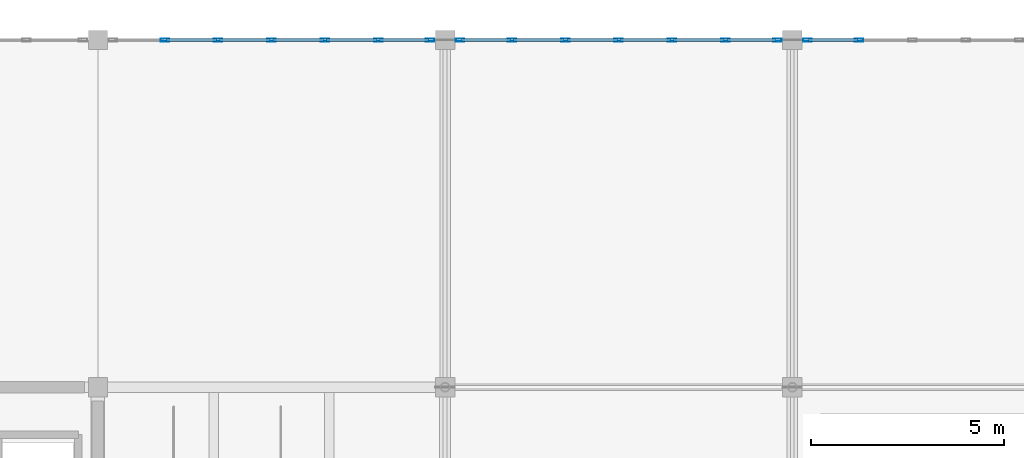
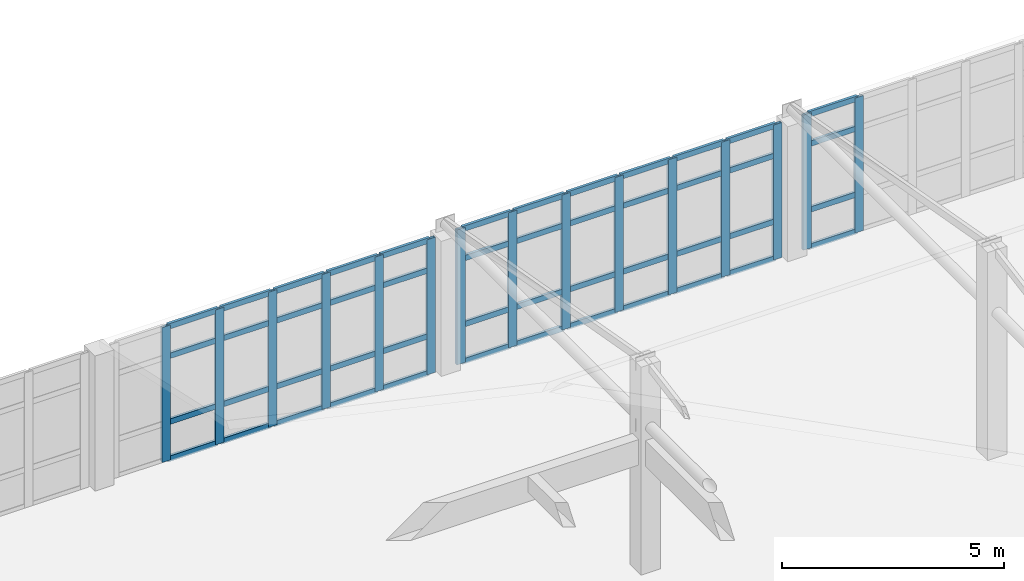
# One storey, part 69 of 156: 63 members, 3 elements without a shape of their own.
"""IFC4 building model written with IfcOpenShell, lengths in metres."""

from ifc_helpers import new_model, si_unit, direction, frame, origin, origin_2d, place, context, subcontext, project, spatial, hollow_rectangle, extrude, material, layer, layer_set, material_profile, profile_set, type_object, element, aggregate, save


model = new_model("IFC4")

# Units and contexts
model_context = context("Model", 3, precision=1e-05, world=origin(), true_north=direction((0.0, 1.0)))
body_context = subcontext(model_context, "Body", "Model", "MODEL_VIEW")
ifc_project = project(units=[si_unit("LENGTHUNIT", "METRE"), si_unit("AREAUNIT", "SQUARE_METRE"), si_unit("VOLUMEUNIT", "CUBIC_METRE"), si_unit("PLANEANGLEUNIT", "RADIAN"), si_unit("MASSUNIT", "GRAM", prefix="KILO")], contexts=[model_context])

# Site, building, storey
site_placement = place(None, origin())
site = spatial("IfcSite", under=ifc_project, at=site_placement, CompositionType="ELEMENT")
building_placement = place(site_placement, origin())
building = spatial("IfcBuilding", under=site, at=building_placement, Name="Ornek Quay Market", CompositionType="ELEMENT")
storey_placement = place(building_placement, frame((0.0, 0.0, 4.5)))
storey = spatial("IfcBuildingStorey", under=building, at=storey_placement, Name="L01", CompositionType="ELEMENT", Elevation=4.5)

# Curtain wall, members
ifc_material_1 = material(Name="Anodised bronze aluminium and triple low-e glass", Category="aluminium")
ifc_layer = layer(ifc_material_1, 0.219970703125, Name="Anodised bronze aluminium and triple low-e glass", Category="aluminium")
ifc_layer_set = layer_set([ifc_layer], Name="Anodised bronze aluminium and triple low-e glass")
curtain_wall_type = type_object("IfcCurtainWallType", Name="CW-PORCH-MOD1500", PredefinedType="USERDEFINED", material=ifc_layer_set)
curtain_wall_1_placement = place(storey_placement, origin())
curtain_wall_1 = element("IfcCurtainWall", 1, at=curtain_wall_1_placement, inside=storey, type_object=curtain_wall_type, Name="Curtain wall CW-050", ObjectType="CURTAIN WALL", PredefinedType="USERDEFINED")
ifc_material_2 = material(Name="Anodised aluminium 6063-T6", Category="aluminium")
ifc_material_profile_1 = material_profile(ifc_material_2, hollow_rectangle(XDim=0.074951171875, YDim=0.219970703125, WallThickness=0.0048828125, at=origin_2d()), Name="CW-MUL-75x220", Category="aluminium")
ifc_profile_set_1 = profile_set([ifc_material_profile_1], Name="Anodised aluminium 6063-T6")
member_type_1 = type_object("IfcMemberType", Name="CW-MUL-75x220", PredefinedType="MULLION", material=ifc_profile_set_1)
member_1_placement = place(storey_placement, frame((64.7333984375, 110.0, 0.0), z_axis=(0.0, 0.0, 1.0), x_axis=(0.0, 1.0, 0.0)))
member_1 = element("IfcMember", 2, at=member_1_placement, type_object=member_type_1, Name="CW-050 mullion 2", PredefinedType="MULLION", context=body_context, shape_type="SweptSolid", body=[
    extrude(hollow_rectangle(XDim=0.074951171875, YDim=0.219970703125, WallThickness=0.0048828125, at=origin_2d()), origin(), (0.0, 0.0, 1.0), 3.7099609375),
])
member_2_placement = place(storey_placement, frame((66.11669921875, 110.0, 0.0), z_axis=(0.0, 0.0, 1.0), x_axis=(0.0, 1.0, 0.0)))
member_2 = element("IfcMember", 3, at=member_2_placement, type_object=member_type_1, Name="CW-050 mullion 3", PredefinedType="MULLION", context=body_context, shape_type="SweptSolid", body=[
    extrude(hollow_rectangle(XDim=0.074951171875, YDim=0.219970703125, WallThickness=0.0048828125, at=origin_2d()), origin(), (0.0, 0.0, 1.0), 3.7099609375),
])
member_3_placement = place(storey_placement, frame((67.5, 110.0, 0.0), z_axis=(0.0, 0.0, 1.0), x_axis=(0.0, 1.0, 0.0)))
member_3 = element("IfcMember", 4, at=member_3_placement, type_object=member_type_1, Name="CW-050 mullion 4", PredefinedType="MULLION", context=body_context, shape_type="SweptSolid", body=[
    extrude(hollow_rectangle(XDim=0.074951171875, YDim=0.219970703125, WallThickness=0.0048828125, at=origin_2d()), origin(), (0.0, 0.0, 1.0), 3.7099609375),
])
member_4_placement = place(storey_placement, frame((68.88330078125, 110.0, 0.0), z_axis=(0.0, 0.0, 1.0), x_axis=(0.0, 1.0, 0.0)))
member_4 = element("IfcMember", 5, at=member_4_placement, type_object=member_type_1, Name="CW-050 mullion 5", PredefinedType="MULLION", context=body_context, shape_type="SweptSolid", body=[
    extrude(hollow_rectangle(XDim=0.074951171875, YDim=0.219970703125, WallThickness=0.0048828125, at=origin_2d()), origin(), (0.0, 0.0, 1.0), 3.7099609375),
])
member_5_placement = place(storey_placement, frame((70.2666015625, 110.0, 0.0), z_axis=(0.0, 0.0, 1.0), x_axis=(0.0, 1.0, 0.0)))
member_5 = element("IfcMember", 6, at=member_5_placement, type_object=member_type_1, Name="CW-050 mullion 6", PredefinedType="MULLION", context=body_context, shape_type="SweptSolid", body=[
    extrude(hollow_rectangle(XDim=0.074951171875, YDim=0.219970703125, WallThickness=0.0048828125, at=origin_2d()), origin(), (0.0, 0.0, 1.0), 3.7099609375),
])
member_6_placement = place(storey_placement, frame((71.612548828125, 110.0, 0.0), z_axis=(0.0, 0.0, 1.0), x_axis=(0.0, 1.0, 0.0)))
member_6 = element("IfcMember", 7, at=member_6_placement, type_object=member_type_1, Name="CW-050 mullion 7", PredefinedType="MULLION", context=body_context, shape_type="SweptSolid", body=[
    extrude(hollow_rectangle(XDim=0.074951171875, YDim=0.219970703125, WallThickness=0.0048828125, at=origin_2d()), origin(), (0.0, 0.0, 1.0), 3.7099609375),
])

curtain_wall_2_placement = place(storey_placement, origin())
curtain_wall_2 = element("IfcCurtainWall", 8, at=curtain_wall_2_placement, inside=storey, type_object=curtain_wall_type, Name="Curtain wall CW-051", ObjectType="CURTAIN WALL", PredefinedType="USERDEFINED")
member_7_placement = place(storey_placement, frame((72.387451171875, 110.0, 0.0), z_axis=(0.0, 0.0, 1.0), x_axis=(0.0, 1.0, 0.0)))
member_7 = element("IfcMember", 9, at=member_7_placement, type_object=member_type_1, Name="CW-051 mullion 1", PredefinedType="MULLION", context=body_context, shape_type="SweptSolid", body=[
    extrude(hollow_rectangle(XDim=0.074951171875, YDim=0.219970703125, WallThickness=0.0048828125, at=origin_2d()), origin(), (0.0, 0.0, 1.0), 3.7099609375),
])
member_8_placement = place(storey_placement, frame((73.7333984375, 110.0, 0.0), z_axis=(0.0, 0.0, 1.0), x_axis=(0.0, 1.0, 0.0)))
member_8 = element("IfcMember", 10, at=member_8_placement, type_object=member_type_1, Name="CW-051 mullion 2", PredefinedType="MULLION", context=body_context, shape_type="SweptSolid", body=[
    extrude(hollow_rectangle(XDim=0.074951171875, YDim=0.219970703125, WallThickness=0.0048828125, at=origin_2d()), origin(), (0.0, 0.0, 1.0), 3.7099609375),
])
member_9_placement = place(storey_placement, frame((75.11669921875, 110.0, 0.0), z_axis=(0.0, 0.0, 1.0), x_axis=(0.0, 1.0, 0.0)))
member_9 = element("IfcMember", 11, at=member_9_placement, type_object=member_type_1, Name="CW-051 mullion 3", PredefinedType="MULLION", context=body_context, shape_type="SweptSolid", body=[
    extrude(hollow_rectangle(XDim=0.074951171875, YDim=0.219970703125, WallThickness=0.0048828125, at=origin_2d()), origin(), (0.0, 0.0, 1.0), 3.7099609375),
])
member_10_placement = place(storey_placement, frame((76.5, 110.0, 0.0), z_axis=(0.0, 0.0, 1.0), x_axis=(0.0, 1.0, 0.0)))
member_10 = element("IfcMember", 12, at=member_10_placement, type_object=member_type_1, Name="CW-051 mullion 4", PredefinedType="MULLION", context=body_context, shape_type="SweptSolid", body=[
    extrude(hollow_rectangle(XDim=0.074951171875, YDim=0.219970703125, WallThickness=0.0048828125, at=origin_2d()), origin(), (0.0, 0.0, 1.0), 3.7099609375),
])
member_11_placement = place(storey_placement, frame((77.88330078125, 110.0, 0.0), z_axis=(0.0, 0.0, 1.0), x_axis=(0.0, 1.0, 0.0)))
member_11 = element("IfcMember", 13, at=member_11_placement, type_object=member_type_1, Name="CW-051 mullion 5", PredefinedType="MULLION", context=body_context, shape_type="SweptSolid", body=[
    extrude(hollow_rectangle(XDim=0.074951171875, YDim=0.219970703125, WallThickness=0.0048828125, at=origin_2d()), origin(), (0.0, 0.0, 1.0), 3.7099609375),
])
member_12_placement = place(storey_placement, frame((79.2666015625, 110.0, 0.0), z_axis=(0.0, 0.0, 1.0), x_axis=(0.0, 1.0, 0.0)))
member_12 = element("IfcMember", 14, at=member_12_placement, type_object=member_type_1, Name="CW-051 mullion 6", PredefinedType="MULLION", context=body_context, shape_type="SweptSolid", body=[
    extrude(hollow_rectangle(XDim=0.074951171875, YDim=0.219970703125, WallThickness=0.0048828125, at=origin_2d()), origin(), (0.0, 0.0, 1.0), 3.7099609375),
])
member_13_placement = place(storey_placement, frame((80.612548828125, 110.0, 0.0), z_axis=(0.0, 0.0, 1.0), x_axis=(0.0, 1.0, 0.0)))
member_13 = element("IfcMember", 15, at=member_13_placement, type_object=member_type_1, Name="CW-051 mullion 7", PredefinedType="MULLION", context=body_context, shape_type="SweptSolid", body=[
    extrude(hollow_rectangle(XDim=0.074951171875, YDim=0.219970703125, WallThickness=0.0048828125, at=origin_2d()), origin(), (0.0, 0.0, 1.0), 3.7099609375),
])

curtain_wall_3_placement = place(storey_placement, origin())
curtain_wall_3 = element("IfcCurtainWall", 16, at=curtain_wall_3_placement, inside=storey, type_object=curtain_wall_type, Name="Curtain wall CW-052", ObjectType="CURTAIN WALL", PredefinedType="USERDEFINED")
member_14_placement = place(storey_placement, frame((81.387451171875, 110.0, 0.0), z_axis=(0.0, 0.0, 1.0), x_axis=(0.0, 1.0, 0.0)))
member_14 = element("IfcMember", 17, at=member_14_placement, type_object=member_type_1, Name="CW-052 mullion 1", PredefinedType="MULLION", context=body_context, shape_type="SweptSolid", body=[
    extrude(hollow_rectangle(XDim=0.074951171875, YDim=0.219970703125, WallThickness=0.0048828125, at=origin_2d()), origin(), (0.0, 0.0, 1.0), 3.7099609375),
])
member_15_placement = place(storey_placement, frame((82.7333984375, 110.0, 0.0), z_axis=(0.0, 0.0, 1.0), x_axis=(0.0, 1.0, 0.0)))
member_15 = element("IfcMember", 18, at=member_15_placement, type_object=member_type_1, Name="CW-052 mullion 2", PredefinedType="MULLION", context=body_context, shape_type="SweptSolid", body=[
    extrude(hollow_rectangle(XDim=0.074951171875, YDim=0.219970703125, WallThickness=0.0048828125, at=origin_2d()), origin(), (0.0, 0.0, 1.0), 3.7099609375),
])

# Member
ifc_material_profile_2 = material_profile(ifc_material_2, hollow_rectangle(XDim=0.070068359375, YDim=0.14990234375, WallThickness=0.0048828125, at=origin_2d()), Name="CW-TRN-70x150", Category="aluminium")
ifc_profile_set_2 = profile_set([ifc_material_profile_2], Name="Anodised aluminium 6063-T6")
member_type_2 = type_object("IfcMemberType", Name="CW-TRN-70x150", PredefinedType="USERDEFINED", material=ifc_profile_set_2)
member_16_placement = place(storey_placement, frame((64.770751953125, 110.0, 0.034912109375), z_axis=(1.0, 0.0, 0.0), x_axis=(0.0, 1.0, 0.0)))
member_16 = element("IfcMember", 19, at=member_16_placement, type_object=member_type_2, Name="CW-050 transom 2.1", ObjectType="TRANSOM", PredefinedType="USERDEFINED", context=body_context, shape_type="SweptSolid", body=[
    extrude(hollow_rectangle(XDim=0.070068359375, YDim=0.14990234375, WallThickness=0.0048828125, at=origin_2d()), origin(), (0.0, 0.0, 1.0), 1.308349609375),
])

member_17_placement = place(storey_placement, frame((64.770751953125, 110.0, 1.050048828125), z_axis=(1.0, 0.0, 0.0), x_axis=(0.0, 1.0, 0.0)))
member_17 = element("IfcMember", 20, at=member_17_placement, type_object=member_type_2, Name="CW-050 transom 2.2", ObjectType="TRANSOM", PredefinedType="USERDEFINED", context=body_context, shape_type="SweptSolid", body=[
    extrude(hollow_rectangle(XDim=0.070068359375, YDim=0.14990234375, WallThickness=0.0048828125, at=origin_2d()), origin(), (0.0, 0.0, 1.0), 1.308349609375),
])

member_18_placement = place(storey_placement, frame((64.770751953125, 110.0, 2.860107421875), z_axis=(1.0, 0.0, 0.0), x_axis=(0.0, 1.0, 0.0)))
member_18 = element("IfcMember", 21, at=member_18_placement, type_object=member_type_2, Name="CW-050 transom 2.3", ObjectType="TRANSOM", PredefinedType="USERDEFINED", context=body_context, shape_type="SweptSolid", body=[
    extrude(hollow_rectangle(XDim=0.070068359375, YDim=0.14990234375, WallThickness=0.0048828125, at=origin_2d()), origin(), (0.0, 0.0, 1.0), 1.308349609375),
])

member_19_placement = place(storey_placement, frame((64.770751953125, 110.0, 3.675048828125), z_axis=(1.0, 0.0, 0.0), x_axis=(0.0, 1.0, 0.0)))
member_19 = element("IfcMember", 22, at=member_19_placement, type_object=member_type_2, Name="CW-050 transom 2.4", ObjectType="TRANSOM", PredefinedType="USERDEFINED", context=body_context, shape_type="SweptSolid", body=[
    extrude(hollow_rectangle(XDim=0.070068359375, YDim=0.14990234375, WallThickness=0.0048828125, at=origin_2d()), origin(), (0.0, 0.0, 1.0), 1.308349609375),
])

member_20_placement = place(storey_placement, frame((66.154052734375, 110.0, 0.034912109375), z_axis=(1.0, 0.0, 0.0), x_axis=(0.0, 1.0, 0.0)))
member_20 = element("IfcMember", 23, at=member_20_placement, type_object=member_type_2, Name="CW-050 transom 3.1", ObjectType="TRANSOM", PredefinedType="USERDEFINED", context=body_context, shape_type="SweptSolid", body=[
    extrude(hollow_rectangle(XDim=0.070068359375, YDim=0.14990234375, WallThickness=0.0048828125, at=origin_2d()), origin(), (0.0, 0.0, 1.0), 1.308349609375),
])

member_21_placement = place(storey_placement, frame((66.154052734375, 110.0, 1.050048828125), z_axis=(1.0, 0.0, 0.0), x_axis=(0.0, 1.0, 0.0)))
member_21 = element("IfcMember", 24, at=member_21_placement, type_object=member_type_2, Name="CW-050 transom 3.2", ObjectType="TRANSOM", PredefinedType="USERDEFINED", context=body_context, shape_type="SweptSolid", body=[
    extrude(hollow_rectangle(XDim=0.070068359375, YDim=0.14990234375, WallThickness=0.0048828125, at=origin_2d()), origin(), (0.0, 0.0, 1.0), 1.308349609375),
])

member_22_placement = place(storey_placement, frame((66.154052734375, 110.0, 2.860107421875), z_axis=(1.0, 0.0, 0.0), x_axis=(0.0, 1.0, 0.0)))
member_22 = element("IfcMember", 25, at=member_22_placement, type_object=member_type_2, Name="CW-050 transom 3.3", ObjectType="TRANSOM", PredefinedType="USERDEFINED", context=body_context, shape_type="SweptSolid", body=[
    extrude(hollow_rectangle(XDim=0.070068359375, YDim=0.14990234375, WallThickness=0.0048828125, at=origin_2d()), origin(), (0.0, 0.0, 1.0), 1.308349609375),
])

member_23_placement = place(storey_placement, frame((66.154052734375, 110.0, 3.675048828125), z_axis=(1.0, 0.0, 0.0), x_axis=(0.0, 1.0, 0.0)))
member_23 = element("IfcMember", 26, at=member_23_placement, type_object=member_type_2, Name="CW-050 transom 3.4", ObjectType="TRANSOM", PredefinedType="USERDEFINED", context=body_context, shape_type="SweptSolid", body=[
    extrude(hollow_rectangle(XDim=0.070068359375, YDim=0.14990234375, WallThickness=0.0048828125, at=origin_2d()), origin(), (0.0, 0.0, 1.0), 1.308349609375),
])

member_24_placement = place(storey_placement, frame((67.53759765625, 110.0, 0.034912109375), z_axis=(1.0, 0.0, 0.0), x_axis=(0.0, 1.0, 0.0)))
member_24 = element("IfcMember", 27, at=member_24_placement, type_object=member_type_2, Name="CW-050 transom 4.1", ObjectType="TRANSOM", PredefinedType="USERDEFINED", context=body_context, shape_type="SweptSolid", body=[
    extrude(hollow_rectangle(XDim=0.070068359375, YDim=0.14990234375, WallThickness=0.0048828125, at=origin_2d()), origin(), (0.0, 0.0, 1.0), 1.308349609375),
])

member_25_placement = place(storey_placement, frame((67.53759765625, 110.0, 1.050048828125), z_axis=(1.0, 0.0, 0.0), x_axis=(0.0, 1.0, 0.0)))
member_25 = element("IfcMember", 28, at=member_25_placement, type_object=member_type_2, Name="CW-050 transom 4.2", ObjectType="TRANSOM", PredefinedType="USERDEFINED", context=body_context, shape_type="SweptSolid", body=[
    extrude(hollow_rectangle(XDim=0.070068359375, YDim=0.14990234375, WallThickness=0.0048828125, at=origin_2d()), origin(), (0.0, 0.0, 1.0), 1.308349609375),
])

member_26_placement = place(storey_placement, frame((67.53759765625, 110.0, 2.860107421875), z_axis=(1.0, 0.0, 0.0), x_axis=(0.0, 1.0, 0.0)))
member_26 = element("IfcMember", 29, at=member_26_placement, type_object=member_type_2, Name="CW-050 transom 4.3", ObjectType="TRANSOM", PredefinedType="USERDEFINED", context=body_context, shape_type="SweptSolid", body=[
    extrude(hollow_rectangle(XDim=0.070068359375, YDim=0.14990234375, WallThickness=0.0048828125, at=origin_2d()), origin(), (0.0, 0.0, 1.0), 1.308349609375),
])

member_27_placement = place(storey_placement, frame((67.53759765625, 110.0, 3.675048828125), z_axis=(1.0, 0.0, 0.0), x_axis=(0.0, 1.0, 0.0)))
member_27 = element("IfcMember", 30, at=member_27_placement, type_object=member_type_2, Name="CW-050 transom 4.4", ObjectType="TRANSOM", PredefinedType="USERDEFINED", context=body_context, shape_type="SweptSolid", body=[
    extrude(hollow_rectangle(XDim=0.070068359375, YDim=0.14990234375, WallThickness=0.0048828125, at=origin_2d()), origin(), (0.0, 0.0, 1.0), 1.308349609375),
])

member_28_placement = place(storey_placement, frame((68.9208984375, 110.0, 0.034912109375), z_axis=(1.0, 0.0, 0.0), x_axis=(0.0, 1.0, 0.0)))
member_28 = element("IfcMember", 31, at=member_28_placement, type_object=member_type_2, Name="CW-050 transom 5.1", ObjectType="TRANSOM", PredefinedType="USERDEFINED", context=body_context, shape_type="SweptSolid", body=[
    extrude(hollow_rectangle(XDim=0.070068359375, YDim=0.14990234375, WallThickness=0.0048828125, at=origin_2d()), origin(), (0.0, 0.0, 1.0), 1.308349609375),
])

member_29_placement = place(storey_placement, frame((68.9208984375, 110.0, 1.050048828125), z_axis=(1.0, 0.0, 0.0), x_axis=(0.0, 1.0, 0.0)))
member_29 = element("IfcMember", 32, at=member_29_placement, type_object=member_type_2, Name="CW-050 transom 5.2", ObjectType="TRANSOM", PredefinedType="USERDEFINED", context=body_context, shape_type="SweptSolid", body=[
    extrude(hollow_rectangle(XDim=0.070068359375, YDim=0.14990234375, WallThickness=0.0048828125, at=origin_2d()), origin(), (0.0, 0.0, 1.0), 1.308349609375),
])

member_30_placement = place(storey_placement, frame((68.9208984375, 110.0, 2.860107421875), z_axis=(1.0, 0.0, 0.0), x_axis=(0.0, 1.0, 0.0)))
member_30 = element("IfcMember", 33, at=member_30_placement, type_object=member_type_2, Name="CW-050 transom 5.3", ObjectType="TRANSOM", PredefinedType="USERDEFINED", context=body_context, shape_type="SweptSolid", body=[
    extrude(hollow_rectangle(XDim=0.070068359375, YDim=0.14990234375, WallThickness=0.0048828125, at=origin_2d()), origin(), (0.0, 0.0, 1.0), 1.308349609375),
])

member_31_placement = place(storey_placement, frame((68.9208984375, 110.0, 3.675048828125), z_axis=(1.0, 0.0, 0.0), x_axis=(0.0, 1.0, 0.0)))
member_31 = element("IfcMember", 34, at=member_31_placement, type_object=member_type_2, Name="CW-050 transom 5.4", ObjectType="TRANSOM", PredefinedType="USERDEFINED", context=body_context, shape_type="SweptSolid", body=[
    extrude(hollow_rectangle(XDim=0.070068359375, YDim=0.14990234375, WallThickness=0.0048828125, at=origin_2d()), origin(), (0.0, 0.0, 1.0), 1.308349609375),
])

member_32_placement = place(storey_placement, frame((70.30419921875, 110.0, 0.034912109375), z_axis=(1.0, 0.0, 0.0), x_axis=(0.0, 1.0, 0.0)))
member_32 = element("IfcMember", 35, at=member_32_placement, type_object=member_type_2, Name="CW-050 transom 6.1", ObjectType="TRANSOM", PredefinedType="USERDEFINED", context=body_context, shape_type="SweptSolid", body=[
    extrude(hollow_rectangle(XDim=0.070068359375, YDim=0.14990234375, WallThickness=0.0048828125, at=origin_2d()), origin(), (0.0, 0.0, 1.0), 1.270751953125),
])

member_33_placement = place(storey_placement, frame((70.30419921875, 110.0, 1.050048828125), z_axis=(1.0, 0.0, 0.0), x_axis=(0.0, 1.0, 0.0)))
member_33 = element("IfcMember", 36, at=member_33_placement, type_object=member_type_2, Name="CW-050 transom 6.2", ObjectType="TRANSOM", PredefinedType="USERDEFINED", context=body_context, shape_type="SweptSolid", body=[
    extrude(hollow_rectangle(XDim=0.070068359375, YDim=0.14990234375, WallThickness=0.0048828125, at=origin_2d()), origin(), (0.0, 0.0, 1.0), 1.270751953125),
])

member_34_placement = place(storey_placement, frame((70.30419921875, 110.0, 2.860107421875), z_axis=(1.0, 0.0, 0.0), x_axis=(0.0, 1.0, 0.0)))
member_34 = element("IfcMember", 37, at=member_34_placement, type_object=member_type_2, Name="CW-050 transom 6.3", ObjectType="TRANSOM", PredefinedType="USERDEFINED", context=body_context, shape_type="SweptSolid", body=[
    extrude(hollow_rectangle(XDim=0.070068359375, YDim=0.14990234375, WallThickness=0.0048828125, at=origin_2d()), origin(), (0.0, 0.0, 1.0), 1.270751953125),
])

member_35_placement = place(storey_placement, frame((70.30419921875, 110.0, 3.675048828125), z_axis=(1.0, 0.0, 0.0), x_axis=(0.0, 1.0, 0.0)))
member_35 = element("IfcMember", 38, at=member_35_placement, type_object=member_type_2, Name="CW-050 transom 6.4", ObjectType="TRANSOM", PredefinedType="USERDEFINED", context=body_context, shape_type="SweptSolid", body=[
    extrude(hollow_rectangle(XDim=0.070068359375, YDim=0.14990234375, WallThickness=0.0048828125, at=origin_2d()), origin(), (0.0, 0.0, 1.0), 1.270751953125),
])

aggregate(curtain_wall_1, [member_1, member_2, member_3, member_4, member_5, member_6, member_16, member_17, member_18, member_19, member_20, member_21, member_22, member_23, member_24, member_25, member_26, member_27, member_28, member_29, member_30, member_31, member_32, member_33, member_34, member_35])

member_36_placement = place(storey_placement, frame((72.425048828125, 110.0, 0.034912109375), z_axis=(1.0, 0.0, 0.0), x_axis=(0.0, 1.0, 0.0)))
member_36 = element("IfcMember", 39, at=member_36_placement, type_object=member_type_2, Name="CW-051 transom 1.1", ObjectType="TRANSOM", PredefinedType="USERDEFINED", context=body_context, shape_type="SweptSolid", body=[
    extrude(hollow_rectangle(XDim=0.070068359375, YDim=0.14990234375, WallThickness=0.0048828125, at=origin_2d()), origin(), (0.0, 0.0, 1.0), 1.270751953125),
])

member_37_placement = place(storey_placement, frame((72.425048828125, 110.0, 1.050048828125), z_axis=(1.0, 0.0, 0.0), x_axis=(0.0, 1.0, 0.0)))
member_37 = element("IfcMember", 40, at=member_37_placement, type_object=member_type_2, Name="CW-051 transom 1.2", ObjectType="TRANSOM", PredefinedType="USERDEFINED", context=body_context, shape_type="SweptSolid", body=[
    extrude(hollow_rectangle(XDim=0.070068359375, YDim=0.14990234375, WallThickness=0.0048828125, at=origin_2d()), origin(), (0.0, 0.0, 1.0), 1.270751953125),
])

member_38_placement = place(storey_placement, frame((72.425048828125, 110.0, 2.860107421875), z_axis=(1.0, 0.0, 0.0), x_axis=(0.0, 1.0, 0.0)))
member_38 = element("IfcMember", 41, at=member_38_placement, type_object=member_type_2, Name="CW-051 transom 1.3", ObjectType="TRANSOM", PredefinedType="USERDEFINED", context=body_context, shape_type="SweptSolid", body=[
    extrude(hollow_rectangle(XDim=0.070068359375, YDim=0.14990234375, WallThickness=0.0048828125, at=origin_2d()), origin(), (0.0, 0.0, 1.0), 1.270751953125),
])

member_39_placement = place(storey_placement, frame((72.425048828125, 110.0, 3.675048828125), z_axis=(1.0, 0.0, 0.0), x_axis=(0.0, 1.0, 0.0)))
member_39 = element("IfcMember", 42, at=member_39_placement, type_object=member_type_2, Name="CW-051 transom 1.4", ObjectType="TRANSOM", PredefinedType="USERDEFINED", context=body_context, shape_type="SweptSolid", body=[
    extrude(hollow_rectangle(XDim=0.070068359375, YDim=0.14990234375, WallThickness=0.0048828125, at=origin_2d()), origin(), (0.0, 0.0, 1.0), 1.270751953125),
])

member_40_placement = place(storey_placement, frame((73.770751953125, 110.0, 0.034912109375), z_axis=(1.0, 0.0, 0.0), x_axis=(0.0, 1.0, 0.0)))
member_40 = element("IfcMember", 43, at=member_40_placement, type_object=member_type_2, Name="CW-051 transom 2.1", ObjectType="TRANSOM", PredefinedType="USERDEFINED", context=body_context, shape_type="SweptSolid", body=[
    extrude(hollow_rectangle(XDim=0.070068359375, YDim=0.14990234375, WallThickness=0.0048828125, at=origin_2d()), origin(), (0.0, 0.0, 1.0), 1.308349609375),
])

member_41_placement = place(storey_placement, frame((73.770751953125, 110.0, 1.050048828125), z_axis=(1.0, 0.0, 0.0), x_axis=(0.0, 1.0, 0.0)))
member_41 = element("IfcMember", 44, at=member_41_placement, type_object=member_type_2, Name="CW-051 transom 2.2", ObjectType="TRANSOM", PredefinedType="USERDEFINED", context=body_context, shape_type="SweptSolid", body=[
    extrude(hollow_rectangle(XDim=0.070068359375, YDim=0.14990234375, WallThickness=0.0048828125, at=origin_2d()), origin(), (0.0, 0.0, 1.0), 1.308349609375),
])

member_42_placement = place(storey_placement, frame((73.770751953125, 110.0, 2.860107421875), z_axis=(1.0, 0.0, 0.0), x_axis=(0.0, 1.0, 0.0)))
member_42 = element("IfcMember", 45, at=member_42_placement, type_object=member_type_2, Name="CW-051 transom 2.3", ObjectType="TRANSOM", PredefinedType="USERDEFINED", context=body_context, shape_type="SweptSolid", body=[
    extrude(hollow_rectangle(XDim=0.070068359375, YDim=0.14990234375, WallThickness=0.0048828125, at=origin_2d()), origin(), (0.0, 0.0, 1.0), 1.308349609375),
])

member_43_placement = place(storey_placement, frame((73.770751953125, 110.0, 3.675048828125), z_axis=(1.0, 0.0, 0.0), x_axis=(0.0, 1.0, 0.0)))
member_43 = element("IfcMember", 46, at=member_43_placement, type_object=member_type_2, Name="CW-051 transom 2.4", ObjectType="TRANSOM", PredefinedType="USERDEFINED", context=body_context, shape_type="SweptSolid", body=[
    extrude(hollow_rectangle(XDim=0.070068359375, YDim=0.14990234375, WallThickness=0.0048828125, at=origin_2d()), origin(), (0.0, 0.0, 1.0), 1.308349609375),
])

member_44_placement = place(storey_placement, frame((75.154052734375, 110.0, 0.034912109375), z_axis=(1.0, 0.0, 0.0), x_axis=(0.0, 1.0, 0.0)))
member_44 = element("IfcMember", 47, at=member_44_placement, type_object=member_type_2, Name="CW-051 transom 3.1", ObjectType="TRANSOM", PredefinedType="USERDEFINED", context=body_context, shape_type="SweptSolid", body=[
    extrude(hollow_rectangle(XDim=0.070068359375, YDim=0.14990234375, WallThickness=0.0048828125, at=origin_2d()), origin(), (0.0, 0.0, 1.0), 1.308349609375),
])

member_45_placement = place(storey_placement, frame((75.154052734375, 110.0, 1.050048828125), z_axis=(1.0, 0.0, 0.0), x_axis=(0.0, 1.0, 0.0)))
member_45 = element("IfcMember", 48, at=member_45_placement, type_object=member_type_2, Name="CW-051 transom 3.2", ObjectType="TRANSOM", PredefinedType="USERDEFINED", context=body_context, shape_type="SweptSolid", body=[
    extrude(hollow_rectangle(XDim=0.070068359375, YDim=0.14990234375, WallThickness=0.0048828125, at=origin_2d()), origin(), (0.0, 0.0, 1.0), 1.308349609375),
])

member_46_placement = place(storey_placement, frame((75.154052734375, 110.0, 2.860107421875), z_axis=(1.0, 0.0, 0.0), x_axis=(0.0, 1.0, 0.0)))
member_46 = element("IfcMember", 49, at=member_46_placement, type_object=member_type_2, Name="CW-051 transom 3.3", ObjectType="TRANSOM", PredefinedType="USERDEFINED", context=body_context, shape_type="SweptSolid", body=[
    extrude(hollow_rectangle(XDim=0.070068359375, YDim=0.14990234375, WallThickness=0.0048828125, at=origin_2d()), origin(), (0.0, 0.0, 1.0), 1.308349609375),
])

member_47_placement = place(storey_placement, frame((75.154052734375, 110.0, 3.675048828125), z_axis=(1.0, 0.0, 0.0), x_axis=(0.0, 1.0, 0.0)))
member_47 = element("IfcMember", 50, at=member_47_placement, type_object=member_type_2, Name="CW-051 transom 3.4", ObjectType="TRANSOM", PredefinedType="USERDEFINED", context=body_context, shape_type="SweptSolid", body=[
    extrude(hollow_rectangle(XDim=0.070068359375, YDim=0.14990234375, WallThickness=0.0048828125, at=origin_2d()), origin(), (0.0, 0.0, 1.0), 1.308349609375),
])

member_48_placement = place(storey_placement, frame((76.53759765625, 110.0, 0.034912109375), z_axis=(1.0, 0.0, 0.0), x_axis=(0.0, 1.0, 0.0)))
member_48 = element("IfcMember", 51, at=member_48_placement, type_object=member_type_2, Name="CW-051 transom 4.1", ObjectType="TRANSOM", PredefinedType="USERDEFINED", context=body_context, shape_type="SweptSolid", body=[
    extrude(hollow_rectangle(XDim=0.070068359375, YDim=0.14990234375, WallThickness=0.0048828125, at=origin_2d()), origin(), (0.0, 0.0, 1.0), 1.308349609375),
])

member_49_placement = place(storey_placement, frame((76.53759765625, 110.0, 1.050048828125), z_axis=(1.0, 0.0, 0.0), x_axis=(0.0, 1.0, 0.0)))
member_49 = element("IfcMember", 52, at=member_49_placement, type_object=member_type_2, Name="CW-051 transom 4.2", ObjectType="TRANSOM", PredefinedType="USERDEFINED", context=body_context, shape_type="SweptSolid", body=[
    extrude(hollow_rectangle(XDim=0.070068359375, YDim=0.14990234375, WallThickness=0.0048828125, at=origin_2d()), origin(), (0.0, 0.0, 1.0), 1.308349609375),
])

member_50_placement = place(storey_placement, frame((76.53759765625, 110.0, 2.860107421875), z_axis=(1.0, 0.0, 0.0), x_axis=(0.0, 1.0, 0.0)))
member_50 = element("IfcMember", 53, at=member_50_placement, type_object=member_type_2, Name="CW-051 transom 4.3", ObjectType="TRANSOM", PredefinedType="USERDEFINED", context=body_context, shape_type="SweptSolid", body=[
    extrude(hollow_rectangle(XDim=0.070068359375, YDim=0.14990234375, WallThickness=0.0048828125, at=origin_2d()), origin(), (0.0, 0.0, 1.0), 1.308349609375),
])

member_51_placement = place(storey_placement, frame((76.53759765625, 110.0, 3.675048828125), z_axis=(1.0, 0.0, 0.0), x_axis=(0.0, 1.0, 0.0)))
member_51 = element("IfcMember", 54, at=member_51_placement, type_object=member_type_2, Name="CW-051 transom 4.4", ObjectType="TRANSOM", PredefinedType="USERDEFINED", context=body_context, shape_type="SweptSolid", body=[
    extrude(hollow_rectangle(XDim=0.070068359375, YDim=0.14990234375, WallThickness=0.0048828125, at=origin_2d()), origin(), (0.0, 0.0, 1.0), 1.308349609375),
])

member_52_placement = place(storey_placement, frame((77.9208984375, 110.0, 0.034912109375), z_axis=(1.0, 0.0, 0.0), x_axis=(0.0, 1.0, 0.0)))
member_52 = element("IfcMember", 55, at=member_52_placement, type_object=member_type_2, Name="CW-051 transom 5.1", ObjectType="TRANSOM", PredefinedType="USERDEFINED", context=body_context, shape_type="SweptSolid", body=[
    extrude(hollow_rectangle(XDim=0.070068359375, YDim=0.14990234375, WallThickness=0.0048828125, at=origin_2d()), origin(), (0.0, 0.0, 1.0), 1.308349609375),
])

member_53_placement = place(storey_placement, frame((77.9208984375, 110.0, 1.050048828125), z_axis=(1.0, 0.0, 0.0), x_axis=(0.0, 1.0, 0.0)))
member_53 = element("IfcMember", 56, at=member_53_placement, type_object=member_type_2, Name="CW-051 transom 5.2", ObjectType="TRANSOM", PredefinedType="USERDEFINED", context=body_context, shape_type="SweptSolid", body=[
    extrude(hollow_rectangle(XDim=0.070068359375, YDim=0.14990234375, WallThickness=0.0048828125, at=origin_2d()), origin(), (0.0, 0.0, 1.0), 1.308349609375),
])

member_54_placement = place(storey_placement, frame((77.9208984375, 110.0, 2.860107421875), z_axis=(1.0, 0.0, 0.0), x_axis=(0.0, 1.0, 0.0)))
member_54 = element("IfcMember", 57, at=member_54_placement, type_object=member_type_2, Name="CW-051 transom 5.3", ObjectType="TRANSOM", PredefinedType="USERDEFINED", context=body_context, shape_type="SweptSolid", body=[
    extrude(hollow_rectangle(XDim=0.070068359375, YDim=0.14990234375, WallThickness=0.0048828125, at=origin_2d()), origin(), (0.0, 0.0, 1.0), 1.308349609375),
])

member_55_placement = place(storey_placement, frame((77.9208984375, 110.0, 3.675048828125), z_axis=(1.0, 0.0, 0.0), x_axis=(0.0, 1.0, 0.0)))
member_55 = element("IfcMember", 58, at=member_55_placement, type_object=member_type_2, Name="CW-051 transom 5.4", ObjectType="TRANSOM", PredefinedType="USERDEFINED", context=body_context, shape_type="SweptSolid", body=[
    extrude(hollow_rectangle(XDim=0.070068359375, YDim=0.14990234375, WallThickness=0.0048828125, at=origin_2d()), origin(), (0.0, 0.0, 1.0), 1.308349609375),
])

member_56_placement = place(storey_placement, frame((79.30419921875, 110.0, 0.034912109375), z_axis=(1.0, 0.0, 0.0), x_axis=(0.0, 1.0, 0.0)))
member_56 = element("IfcMember", 59, at=member_56_placement, type_object=member_type_2, Name="CW-051 transom 6.1", ObjectType="TRANSOM", PredefinedType="USERDEFINED", context=body_context, shape_type="SweptSolid", body=[
    extrude(hollow_rectangle(XDim=0.070068359375, YDim=0.14990234375, WallThickness=0.0048828125, at=origin_2d()), origin(), (0.0, 0.0, 1.0), 1.270751953125),
])

member_57_placement = place(storey_placement, frame((79.30419921875, 110.0, 1.050048828125), z_axis=(1.0, 0.0, 0.0), x_axis=(0.0, 1.0, 0.0)))
member_57 = element("IfcMember", 60, at=member_57_placement, type_object=member_type_2, Name="CW-051 transom 6.2", ObjectType="TRANSOM", PredefinedType="USERDEFINED", context=body_context, shape_type="SweptSolid", body=[
    extrude(hollow_rectangle(XDim=0.070068359375, YDim=0.14990234375, WallThickness=0.0048828125, at=origin_2d()), origin(), (0.0, 0.0, 1.0), 1.270751953125),
])

member_58_placement = place(storey_placement, frame((79.30419921875, 110.0, 2.860107421875), z_axis=(1.0, 0.0, 0.0), x_axis=(0.0, 1.0, 0.0)))
member_58 = element("IfcMember", 61, at=member_58_placement, type_object=member_type_2, Name="CW-051 transom 6.3", ObjectType="TRANSOM", PredefinedType="USERDEFINED", context=body_context, shape_type="SweptSolid", body=[
    extrude(hollow_rectangle(XDim=0.070068359375, YDim=0.14990234375, WallThickness=0.0048828125, at=origin_2d()), origin(), (0.0, 0.0, 1.0), 1.270751953125),
])

member_59_placement = place(storey_placement, frame((79.30419921875, 110.0, 3.675048828125), z_axis=(1.0, 0.0, 0.0), x_axis=(0.0, 1.0, 0.0)))
member_59 = element("IfcMember", 62, at=member_59_placement, type_object=member_type_2, Name="CW-051 transom 6.4", ObjectType="TRANSOM", PredefinedType="USERDEFINED", context=body_context, shape_type="SweptSolid", body=[
    extrude(hollow_rectangle(XDim=0.070068359375, YDim=0.14990234375, WallThickness=0.0048828125, at=origin_2d()), origin(), (0.0, 0.0, 1.0), 1.270751953125),
])

aggregate(curtain_wall_2, [member_7, member_8, member_9, member_10, member_11, member_12, member_13, member_36, member_37, member_38, member_39, member_40, member_41, member_42, member_43, member_44, member_45, member_46, member_47, member_48, member_49, member_50, member_51, member_52, member_53, member_54, member_55, member_56, member_57, member_58, member_59])

member_60_placement = place(storey_placement, frame((81.425048828125, 110.0, 0.034912109375), z_axis=(1.0, 0.0, 0.0), x_axis=(0.0, 1.0, 0.0)))
member_60 = element("IfcMember", 63, at=member_60_placement, type_object=member_type_2, Name="CW-052 transom 1.1", ObjectType="TRANSOM", PredefinedType="USERDEFINED", context=body_context, shape_type="SweptSolid", body=[
    extrude(hollow_rectangle(XDim=0.070068359375, YDim=0.14990234375, WallThickness=0.0048828125, at=origin_2d()), origin(), (0.0, 0.0, 1.0), 1.270751953125),
])

member_61_placement = place(storey_placement, frame((81.425048828125, 110.0, 1.050048828125), z_axis=(1.0, 0.0, 0.0), x_axis=(0.0, 1.0, 0.0)))
member_61 = element("IfcMember", 64, at=member_61_placement, type_object=member_type_2, Name="CW-052 transom 1.2", ObjectType="TRANSOM", PredefinedType="USERDEFINED", context=body_context, shape_type="SweptSolid", body=[
    extrude(hollow_rectangle(XDim=0.070068359375, YDim=0.14990234375, WallThickness=0.0048828125, at=origin_2d()), origin(), (0.0, 0.0, 1.0), 1.270751953125),
])

member_62_placement = place(storey_placement, frame((81.425048828125, 110.0, 2.860107421875), z_axis=(1.0, 0.0, 0.0), x_axis=(0.0, 1.0, 0.0)))
member_62 = element("IfcMember", 65, at=member_62_placement, type_object=member_type_2, Name="CW-052 transom 1.3", ObjectType="TRANSOM", PredefinedType="USERDEFINED", context=body_context, shape_type="SweptSolid", body=[
    extrude(hollow_rectangle(XDim=0.070068359375, YDim=0.14990234375, WallThickness=0.0048828125, at=origin_2d()), origin(), (0.0, 0.0, 1.0), 1.270751953125),
])

member_63_placement = place(storey_placement, frame((81.425048828125, 110.0, 3.675048828125), z_axis=(1.0, 0.0, 0.0), x_axis=(0.0, 1.0, 0.0)))
member_63 = element("IfcMember", 66, at=member_63_placement, type_object=member_type_2, Name="CW-052 transom 1.4", ObjectType="TRANSOM", PredefinedType="USERDEFINED", context=body_context, shape_type="SweptSolid", body=[
    extrude(hollow_rectangle(XDim=0.070068359375, YDim=0.14990234375, WallThickness=0.0048828125, at=origin_2d()), origin(), (0.0, 0.0, 1.0), 1.270751953125),
])

aggregate(curtain_wall_3, [member_14, member_15, member_60, member_61, member_62, member_63])

save(model, "model.ifc")
